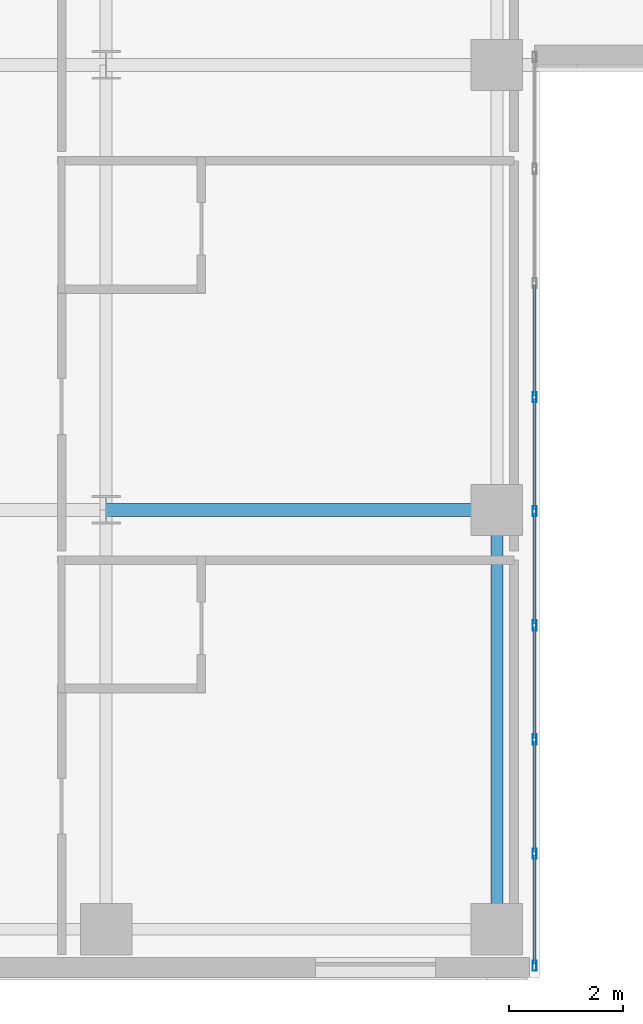
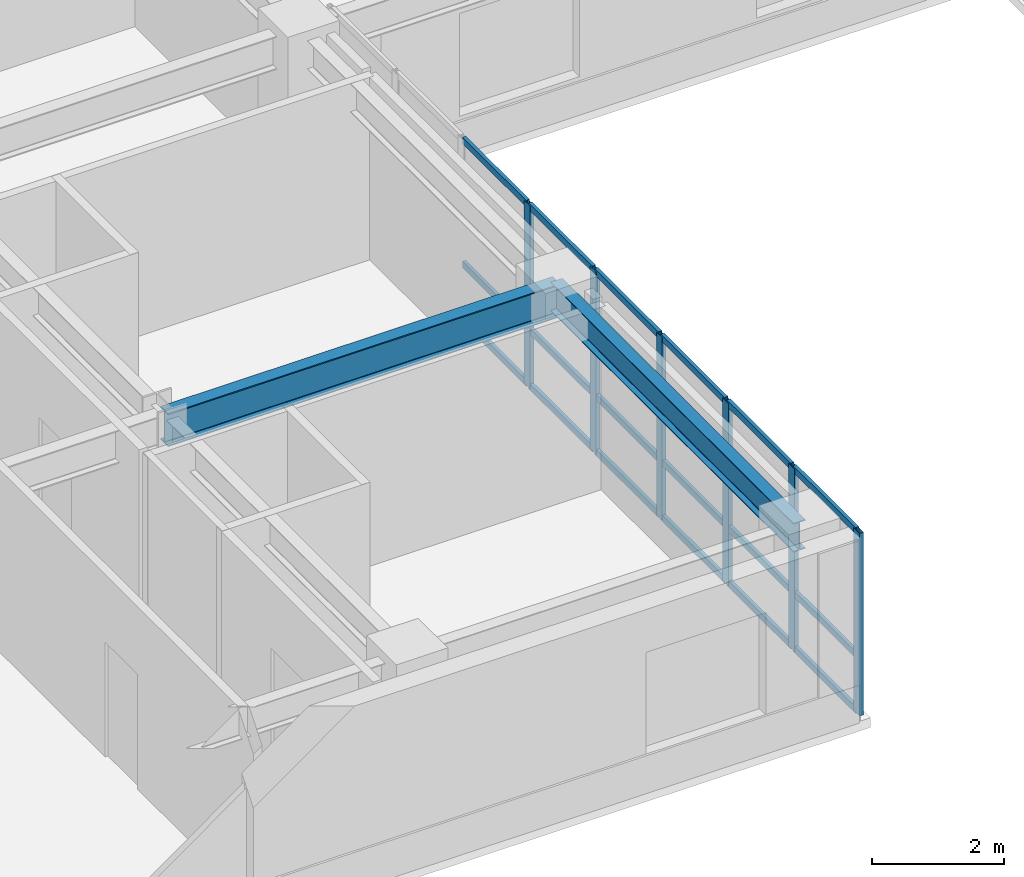
# One storey, part 2 of 24: 24 members, 2 beams, 1 element without a shape of its own.
"""IFC4 building model written with IfcOpenShell, lengths in metres."""

from ifc_helpers import new_model, si_unit, direction, frame, origin, origin_2d, place, context, subcontext, project, spatial, hollow_rectangle, i_section, extrude, source, transform, mapped, material, layer, layer_set, material_profile, profile_set, type_object, type_shapes, element, aggregate, save


model = new_model("IFC4")

# Units and contexts
model_context = context("Model", 3, precision=1e-05, world=origin(), true_north=direction((0.0, 1.0)))
body_context = subcontext(model_context, "Body", "Model", "MODEL_VIEW")
ifc_project = project(units=[si_unit("LENGTHUNIT", "METRE"), si_unit("AREAUNIT", "SQUARE_METRE"), si_unit("VOLUMEUNIT", "CUBIC_METRE"), si_unit("PLANEANGLEUNIT", "RADIAN"), si_unit("MASSUNIT", "GRAM", prefix="KILO")], contexts=[model_context])

# Site, building, storey
site_placement = place(None, origin())
site = spatial("IfcSite", under=ifc_project, at=site_placement, CompositionType="ELEMENT")
building_placement = place(site_placement, origin())
building = spatial("IfcBuilding", under=site, at=building_placement, Name="Tolvann Quenvar Hotel", CompositionType="ELEMENT")
storey_placement = place(building_placement, frame((0.0, 0.0, 139.949951171875)))
storey = spatial("IfcBuildingStorey", under=building, at=storey_placement, Name="L36", CompositionType="ELEMENT", Elevation=139.949951171875)

# Beams
ifc_material_1 = material(Name="Steel Grade 350", Category="steel")
ifc_material_profile_1 = material_profile(ifc_material_1, i_section(OverallWidth=0.22900390625, OverallDepth=0.612060546875, WebThickness=0.011962890625, FlangeThickness=0.01953125, FilletRadius=0.013916015625, at=origin_2d()), Name="610UB125")
ifc_profile_set_1 = profile_set([ifc_material_profile_1], Name="Steel Grade 350")
beam_type_1 = type_object("IfcBeamType", Name="BM_GIRD_610UB125", PredefinedType="BEAM", material=ifc_profile_set_1)
shared_shape_1 = source(origin(), body_context, "Body", "SweptSolid", [
    extrude(i_section(OverallWidth=0.22900390625, OverallDepth=0.612060546875, WebThickness=0.011962890625, FlangeThickness=0.01953125, FilletRadius=0.013916015625, at=origin_2d()), origin(), (0.0, 0.0, 1.0), 6.85009765625),
])
type_shapes(beam_type_1, [shared_shape_1])
beam_1_placement = place(storey_placement, frame((15.199951171875, 8.199951171875, 3.06396484375), z_axis=(1.0, 0.0, 0.0), x_axis=(0.0, 1.0, 0.0)))
element("IfcBeam", 1, at=beam_1_placement, inside=storey, type_object=beam_type_1, Name="BM-L36-EW-3-D3-E3", PredefinedType="BEAM", context=body_context, shape_type="MappedRepresentation", body=[
    mapped(shared_shape_1, transform((0.0, 0.0, 0.0), x_axis=(1.0, 0.0, 0.0), y_axis=(0.0, 1.0, 0.0), z_axis=(0.0, 0.0, 1.0), scale=1.0)),
])
ifc_material_profile_2 = material_profile(ifc_material_1, i_section(OverallWidth=0.208984375, OverallDepth=0.532958984375, WebThickness=0.01025390625, FlangeThickness=0.015625, FilletRadius=0.013916015625, at=origin_2d()), Name="530UB92")
ifc_profile_set_2 = profile_set([ifc_material_profile_2], Name="Steel Grade 350")
beam_type_2 = type_object("IfcBeamType", Name="BM_GIRD_530UB92", PredefinedType="BEAM", material=ifc_profile_set_2)
shared_shape_2 = source(origin(), body_context, "Body", "SweptSolid", [
    extrude(i_section(OverallWidth=0.208984375, OverallDepth=0.532958984375, WebThickness=0.01025390625, FlangeThickness=0.015625, FilletRadius=0.013916015625, at=origin_2d()), origin(), (0.0, 0.0, 1.0), 7.349853515625),
])
type_shapes(beam_type_2, [shared_shape_2])
beam_2_placement = place(storey_placement, frame((22.050048828125, 0.85009765625, 3.103515625), z_axis=(0.0, 1.0, 0.0), x_axis=(-1.0, 0.0, 0.0)))
element("IfcBeam", 2, at=beam_2_placement, inside=storey, type_object=beam_type_2, Name="BM-L36-NS-E2-E3", PredefinedType="BEAM", context=body_context, shape_type="MappedRepresentation", body=[
    mapped(shared_shape_2, transform((0.0, 0.0, 0.0), x_axis=(1.0, 0.0, 0.0), y_axis=(0.0, 1.0, 0.0), z_axis=(0.0, 0.0, 1.0), scale=1.0)),
])

# Curtain wall, members
ifc_material_2 = material(Name="Thermally broken anodised architectural aluminium 6063-T6 and laminated low-E glass", Category="aluminium")
ifc_layer = layer(ifc_material_2, 0.179931640625)
ifc_layer_set = layer_set([ifc_layer], Name="Thermally broken anodised architectural aluminium 6063-T6 and laminated low-E glass")
curtain_wall_type = type_object("IfcCurtainWallType", Name="CW_SYS_SLOT_03", PredefinedType="USERDEFINED", material=ifc_layer_set)
curtain_wall_placement = place(storey_placement, origin())
curtain_wall = element("IfcCurtainWall", 3, at=curtain_wall_placement, inside=storey, type_object=curtain_wall_type, Name="Curtain Wall CW-SLOT-03 (CWR-L36-E05)", ObjectType="UNITISED CURTAIN WALL", PredefinedType="USERDEFINED")
ifc_material_3 = material(Name="Anodised architectural aluminium 6063-T6 framing", Category="aluminium")
ifc_material_profile_3 = material_profile(ifc_material_3, hollow_rectangle(XDim=0.070068359375, YDim=0.179931640625, WallThickness=0.00390625, at=origin_2d()), Name="180x70x4RHS")
ifc_profile_set_3 = profile_set([ifc_material_profile_3], Name="Anodised architectural aluminium 6063-T6 framing")
member_type_1 = type_object("IfcMemberType", Name="CW_MULL_180x70", PredefinedType="MULLION", material=ifc_profile_set_3)
shared_shape_3 = source(origin(), body_context, "Body", "SweptSolid", [
    extrude(hollow_rectangle(XDim=0.070068359375, YDim=0.179931640625, WallThickness=0.00390625, at=origin_2d()), origin(), (0.0, 0.0, 1.0), 3.3701171875),
])
type_shapes(member_type_1, [shared_shape_3])
member_1_placement = place(storey_placement, frame((22.7099609375, 0.2099609375, 0.0), z_axis=(0.0, 0.0, 1.0), x_axis=(-1.0, 0.0, 0.0)))
member_1 = element("IfcMember", 4, at=member_1_placement, type_object=member_type_1, Name="CW-SLOT-03 mullion 1", PredefinedType="MULLION", context=body_context, shape_type="MappedRepresentation", body=[
    mapped(shared_shape_3, transform((0.0, 0.0, 0.0), x_axis=(1.0, 0.0, 0.0), y_axis=(0.0, 1.0, 0.0), z_axis=(0.0, 0.0, 1.0), scale=1.0)),
])
member_2_placement = place(storey_placement, frame((22.7099609375, 2.175048828125, 0.0), z_axis=(0.0, 0.0, 1.0), x_axis=(-1.0, 0.0, 0.0)))
member_2 = element("IfcMember", 5, at=member_2_placement, type_object=member_type_1, Name="CW-SLOT-03 mullion 2", PredefinedType="MULLION", context=body_context, shape_type="MappedRepresentation", body=[
    mapped(shared_shape_3, transform((0.0, 0.0, 0.0), x_axis=(1.0, 0.0, 0.0), y_axis=(0.0, 1.0, 0.0), z_axis=(0.0, 0.0, 1.0), scale=1.0)),
])
member_3_placement = place(storey_placement, frame((22.7099609375, 4.175048828125, 0.0), z_axis=(0.0, 0.0, 1.0), x_axis=(-1.0, 0.0, 0.0)))
member_3 = element("IfcMember", 6, at=member_3_placement, type_object=member_type_1, Name="CW-SLOT-03 mullion 3", PredefinedType="MULLION", context=body_context, shape_type="MappedRepresentation", body=[
    mapped(shared_shape_3, transform((0.0, 0.0, 0.0), x_axis=(1.0, 0.0, 0.0), y_axis=(0.0, 1.0, 0.0), z_axis=(0.0, 0.0, 1.0), scale=1.0)),
])
member_4_placement = place(storey_placement, frame((22.7099609375, 6.175048828125, 0.0), z_axis=(0.0, 0.0, 1.0), x_axis=(-1.0, 0.0, 0.0)))
member_4 = element("IfcMember", 7, at=member_4_placement, type_object=member_type_1, Name="CW-SLOT-03 mullion 4", PredefinedType="MULLION", context=body_context, shape_type="MappedRepresentation", body=[
    mapped(shared_shape_3, transform((0.0, 0.0, 0.0), x_axis=(1.0, 0.0, 0.0), y_axis=(0.0, 1.0, 0.0), z_axis=(0.0, 0.0, 1.0), scale=1.0)),
])
member_5_placement = place(storey_placement, frame((22.7099609375, 8.175048828125, 0.0), z_axis=(0.0, 0.0, 1.0), x_axis=(-1.0, 0.0, 0.0)))
member_5 = element("IfcMember", 8, at=member_5_placement, type_object=member_type_1, Name="CW-SLOT-03 mullion 5", PredefinedType="MULLION", context=body_context, shape_type="MappedRepresentation", body=[
    mapped(shared_shape_3, transform((0.0, 0.0, 0.0), x_axis=(1.0, 0.0, 0.0), y_axis=(0.0, 1.0, 0.0), z_axis=(0.0, 0.0, 1.0), scale=1.0)),
])
member_6_placement = place(storey_placement, frame((22.7099609375, 10.175048828125, 0.0), z_axis=(0.0, 0.0, 1.0), x_axis=(-1.0, 0.0, 0.0)))
member_6 = element("IfcMember", 9, at=member_6_placement, type_object=member_type_1, Name="CW-SLOT-03 mullion 6", PredefinedType="MULLION", context=body_context, shape_type="MappedRepresentation", body=[
    mapped(shared_shape_3, transform((0.0, 0.0, 0.0), x_axis=(1.0, 0.0, 0.0), y_axis=(0.0, 1.0, 0.0), z_axis=(0.0, 0.0, 1.0), scale=1.0)),
])
ifc_material_profile_4 = material_profile(ifc_material_3, hollow_rectangle(XDim=0.06005859375, YDim=0.1201171875, WallThickness=0.00341796875, at=origin_2d()), Name="120x60x3.5RHS")
ifc_profile_set_4 = profile_set([ifc_material_profile_4], Name="Anodised architectural aluminium 6063-T6 framing")
member_type_2 = type_object("IfcMemberType", Name="CW_TRAN_120x60", PredefinedType="USERDEFINED", material=ifc_profile_set_4)
shared_shape_4 = source(origin(), body_context, "Body", "SweptSolid", [
    extrude(hollow_rectangle(XDim=0.06005859375, YDim=0.1201171875, WallThickness=0.00341796875, at=origin_2d()), origin(), (0.0, 0.0, 1.0), 1.894775390625),
])
member_7_placement = place(storey_placement, frame((22.7099609375, 0.2451171875, 0.030029296875), z_axis=(0.0, 1.0, 0.0), x_axis=(-1.0, 0.0, 0.0)))
member_7 = element("IfcMember", 10, at=member_7_placement, type_object=member_type_2, Name="CW-SLOT-03 transom 1.1", ObjectType="TRANSOM", PredefinedType="USERDEFINED", context=body_context, shape_type="MappedRepresentation", body=[
    mapped(shared_shape_4, transform((0.0, 0.0, 0.0), x_axis=(1.0, 0.0, 0.0), y_axis=(0.0, 1.0, 0.0), z_axis=(0.0, 0.0, 1.0), scale=1.0)),
])
member_8_placement = place(storey_placement, frame((22.7099609375, 0.2451171875, 1.050048828125), z_axis=(0.0, 1.0, 0.0), x_axis=(-1.0, 0.0, 0.0)))
member_8 = element("IfcMember", 11, at=member_8_placement, type_object=member_type_2, Name="CW-SLOT-03 transom 1.2", ObjectType="TRANSOM", PredefinedType="USERDEFINED", context=body_context, shape_type="MappedRepresentation", body=[
    mapped(shared_shape_4, transform((0.0, 0.0, 0.0), x_axis=(1.0, 0.0, 0.0), y_axis=(0.0, 1.0, 0.0), z_axis=(0.0, 0.0, 1.0), scale=1.0)),
])
member_9_placement = place(storey_placement, frame((22.7099609375, 0.2451171875, 3.340087890625), z_axis=(0.0, 1.0, 0.0), x_axis=(-1.0, 0.0, 0.0)))
member_9 = element("IfcMember", 12, at=member_9_placement, type_object=member_type_2, Name="CW-SLOT-03 transom 1.3", ObjectType="TRANSOM", PredefinedType="USERDEFINED", context=body_context, shape_type="MappedRepresentation", body=[
    mapped(shared_shape_4, transform((0.0, 0.0, 0.0), x_axis=(1.0, 0.0, 0.0), y_axis=(0.0, 1.0, 0.0), z_axis=(0.0, 0.0, 1.0), scale=1.0)),
])
shared_shape_5 = source(origin(), body_context, "Body", "SweptSolid", [
    extrude(hollow_rectangle(XDim=0.06005859375, YDim=0.1201171875, WallThickness=0.00341796875, at=origin_2d()), origin(), (0.0, 0.0, 1.0), 1.929931640625),
])
type_shapes(member_type_2, [shared_shape_4, shared_shape_5])
member_10_placement = place(storey_placement, frame((22.7099609375, 2.2099609375, 0.030029296875), z_axis=(0.0, 1.0, 0.0), x_axis=(-1.0, 0.0, 0.0)))
member_10 = element("IfcMember", 13, at=member_10_placement, type_object=member_type_2, Name="CW-SLOT-03 transom 2.1", ObjectType="TRANSOM", PredefinedType="USERDEFINED", context=body_context, shape_type="MappedRepresentation", body=[
    mapped(shared_shape_5, transform((0.0, 0.0, 0.0), x_axis=(1.0, 0.0, 0.0), y_axis=(0.0, 1.0, 0.0), z_axis=(0.0, 0.0, 1.0), scale=1.0)),
])
member_11_placement = place(storey_placement, frame((22.7099609375, 2.2099609375, 1.050048828125), z_axis=(0.0, 1.0, 0.0), x_axis=(-1.0, 0.0, 0.0)))
member_11 = element("IfcMember", 14, at=member_11_placement, type_object=member_type_2, Name="CW-SLOT-03 transom 2.2", ObjectType="TRANSOM", PredefinedType="USERDEFINED", context=body_context, shape_type="MappedRepresentation", body=[
    mapped(shared_shape_5, transform((0.0, 0.0, 0.0), x_axis=(1.0, 0.0, 0.0), y_axis=(0.0, 1.0, 0.0), z_axis=(0.0, 0.0, 1.0), scale=1.0)),
])
member_12_placement = place(storey_placement, frame((22.7099609375, 2.2099609375, 3.340087890625), z_axis=(0.0, 1.0, 0.0), x_axis=(-1.0, 0.0, 0.0)))
member_12 = element("IfcMember", 15, at=member_12_placement, type_object=member_type_2, Name="CW-SLOT-03 transom 2.3", ObjectType="TRANSOM", PredefinedType="USERDEFINED", context=body_context, shape_type="MappedRepresentation", body=[
    mapped(shared_shape_5, transform((0.0, 0.0, 0.0), x_axis=(1.0, 0.0, 0.0), y_axis=(0.0, 1.0, 0.0), z_axis=(0.0, 0.0, 1.0), scale=1.0)),
])
member_13_placement = place(storey_placement, frame((22.7099609375, 4.2099609375, 0.030029296875), z_axis=(0.0, 1.0, 0.0), x_axis=(-1.0, 0.0, 0.0)))
member_13 = element("IfcMember", 16, at=member_13_placement, type_object=member_type_2, Name="CW-SLOT-03 transom 3.1", ObjectType="TRANSOM", PredefinedType="USERDEFINED", context=body_context, shape_type="MappedRepresentation", body=[
    mapped(shared_shape_5, transform((0.0, 0.0, 0.0), x_axis=(1.0, 0.0, 0.0), y_axis=(0.0, 1.0, 0.0), z_axis=(0.0, 0.0, 1.0), scale=1.0)),
])
member_14_placement = place(storey_placement, frame((22.7099609375, 4.2099609375, 1.050048828125), z_axis=(0.0, 1.0, 0.0), x_axis=(-1.0, 0.0, 0.0)))
member_14 = element("IfcMember", 17, at=member_14_placement, type_object=member_type_2, Name="CW-SLOT-03 transom 3.2", ObjectType="TRANSOM", PredefinedType="USERDEFINED", context=body_context, shape_type="MappedRepresentation", body=[
    mapped(shared_shape_5, transform((0.0, 0.0, 0.0), x_axis=(1.0, 0.0, 0.0), y_axis=(0.0, 1.0, 0.0), z_axis=(0.0, 0.0, 1.0), scale=1.0)),
])
member_15_placement = place(storey_placement, frame((22.7099609375, 4.2099609375, 3.340087890625), z_axis=(0.0, 1.0, 0.0), x_axis=(-1.0, 0.0, 0.0)))
member_15 = element("IfcMember", 18, at=member_15_placement, type_object=member_type_2, Name="CW-SLOT-03 transom 3.3", ObjectType="TRANSOM", PredefinedType="USERDEFINED", context=body_context, shape_type="MappedRepresentation", body=[
    mapped(shared_shape_5, transform((0.0, 0.0, 0.0), x_axis=(1.0, 0.0, 0.0), y_axis=(0.0, 1.0, 0.0), z_axis=(0.0, 0.0, 1.0), scale=1.0)),
])
member_16_placement = place(storey_placement, frame((22.7099609375, 6.2099609375, 0.030029296875), z_axis=(0.0, 1.0, 0.0), x_axis=(-1.0, 0.0, 0.0)))
member_16 = element("IfcMember", 19, at=member_16_placement, type_object=member_type_2, Name="CW-SLOT-03 transom 4.1", ObjectType="TRANSOM", PredefinedType="USERDEFINED", context=body_context, shape_type="MappedRepresentation", body=[
    mapped(shared_shape_5, transform((0.0, 0.0, 0.0), x_axis=(1.0, 0.0, 0.0), y_axis=(0.0, 1.0, 0.0), z_axis=(0.0, 0.0, 1.0), scale=1.0)),
])
member_17_placement = place(storey_placement, frame((22.7099609375, 6.2099609375, 1.050048828125), z_axis=(0.0, 1.0, 0.0), x_axis=(-1.0, 0.0, 0.0)))
member_17 = element("IfcMember", 20, at=member_17_placement, type_object=member_type_2, Name="CW-SLOT-03 transom 4.2", ObjectType="TRANSOM", PredefinedType="USERDEFINED", context=body_context, shape_type="MappedRepresentation", body=[
    mapped(shared_shape_5, transform((0.0, 0.0, 0.0), x_axis=(1.0, 0.0, 0.0), y_axis=(0.0, 1.0, 0.0), z_axis=(0.0, 0.0, 1.0), scale=1.0)),
])
member_18_placement = place(storey_placement, frame((22.7099609375, 6.2099609375, 3.340087890625), z_axis=(0.0, 1.0, 0.0), x_axis=(-1.0, 0.0, 0.0)))
member_18 = element("IfcMember", 21, at=member_18_placement, type_object=member_type_2, Name="CW-SLOT-03 transom 4.3", ObjectType="TRANSOM", PredefinedType="USERDEFINED", context=body_context, shape_type="MappedRepresentation", body=[
    mapped(shared_shape_5, transform((0.0, 0.0, 0.0), x_axis=(1.0, 0.0, 0.0), y_axis=(0.0, 1.0, 0.0), z_axis=(0.0, 0.0, 1.0), scale=1.0)),
])
member_19_placement = place(storey_placement, frame((22.7099609375, 8.2099609375, 0.030029296875), z_axis=(0.0, 1.0, 0.0), x_axis=(-1.0, 0.0, 0.0)))
member_19 = element("IfcMember", 22, at=member_19_placement, type_object=member_type_2, Name="CW-SLOT-03 transom 5.1", ObjectType="TRANSOM", PredefinedType="USERDEFINED", context=body_context, shape_type="MappedRepresentation", body=[
    mapped(shared_shape_5, transform((0.0, 0.0, 0.0), x_axis=(1.0, 0.0, 0.0), y_axis=(0.0, 1.0, 0.0), z_axis=(0.0, 0.0, 1.0), scale=1.0)),
])
member_20_placement = place(storey_placement, frame((22.7099609375, 8.2099609375, 1.050048828125), z_axis=(0.0, 1.0, 0.0), x_axis=(-1.0, 0.0, 0.0)))
member_20 = element("IfcMember", 23, at=member_20_placement, type_object=member_type_2, Name="CW-SLOT-03 transom 5.2", ObjectType="TRANSOM", PredefinedType="USERDEFINED", context=body_context, shape_type="MappedRepresentation", body=[
    mapped(shared_shape_5, transform((0.0, 0.0, 0.0), x_axis=(1.0, 0.0, 0.0), y_axis=(0.0, 1.0, 0.0), z_axis=(0.0, 0.0, 1.0), scale=1.0)),
])
member_21_placement = place(storey_placement, frame((22.7099609375, 8.2099609375, 3.340087890625), z_axis=(0.0, 1.0, 0.0), x_axis=(-1.0, 0.0, 0.0)))
member_21 = element("IfcMember", 24, at=member_21_placement, type_object=member_type_2, Name="CW-SLOT-03 transom 5.3", ObjectType="TRANSOM", PredefinedType="USERDEFINED", context=body_context, shape_type="MappedRepresentation", body=[
    mapped(shared_shape_5, transform((0.0, 0.0, 0.0), x_axis=(1.0, 0.0, 0.0), y_axis=(0.0, 1.0, 0.0), z_axis=(0.0, 0.0, 1.0), scale=1.0)),
])
member_22_placement = place(storey_placement, frame((22.7099609375, 10.2099609375, 0.030029296875), z_axis=(0.0, 1.0, 0.0), x_axis=(-1.0, 0.0, 0.0)))
member_22 = element("IfcMember", 25, at=member_22_placement, type_object=member_type_2, Name="CW-SLOT-03 transom 6.1", ObjectType="TRANSOM", PredefinedType="USERDEFINED", context=body_context, shape_type="MappedRepresentation", body=[
    mapped(shared_shape_5, transform((0.0, 0.0, 0.0), x_axis=(1.0, 0.0, 0.0), y_axis=(0.0, 1.0, 0.0), z_axis=(0.0, 0.0, 1.0), scale=1.0)),
])
member_23_placement = place(storey_placement, frame((22.7099609375, 10.2099609375, 1.050048828125), z_axis=(0.0, 1.0, 0.0), x_axis=(-1.0, 0.0, 0.0)))
member_23 = element("IfcMember", 26, at=member_23_placement, type_object=member_type_2, Name="CW-SLOT-03 transom 6.2", ObjectType="TRANSOM", PredefinedType="USERDEFINED", context=body_context, shape_type="MappedRepresentation", body=[
    mapped(shared_shape_5, transform((0.0, 0.0, 0.0), x_axis=(1.0, 0.0, 0.0), y_axis=(0.0, 1.0, 0.0), z_axis=(0.0, 0.0, 1.0), scale=1.0)),
])
member_24_placement = place(storey_placement, frame((22.7099609375, 10.2099609375, 3.340087890625), z_axis=(0.0, 1.0, 0.0), x_axis=(-1.0, 0.0, 0.0)))
member_24 = element("IfcMember", 27, at=member_24_placement, type_object=member_type_2, Name="CW-SLOT-03 transom 6.3", ObjectType="TRANSOM", PredefinedType="USERDEFINED", context=body_context, shape_type="MappedRepresentation", body=[
    mapped(shared_shape_5, transform((0.0, 0.0, 0.0), x_axis=(1.0, 0.0, 0.0), y_axis=(0.0, 1.0, 0.0), z_axis=(0.0, 0.0, 1.0), scale=1.0)),
])
aggregate(curtain_wall, [member_1, member_2, member_3, member_4, member_5, member_6, member_7, member_8, member_9, member_10, member_11, member_12, member_13, member_14, member_15, member_16, member_17, member_18, member_19, member_20, member_21, member_22, member_23, member_24])

save(model, "model.ifc")
